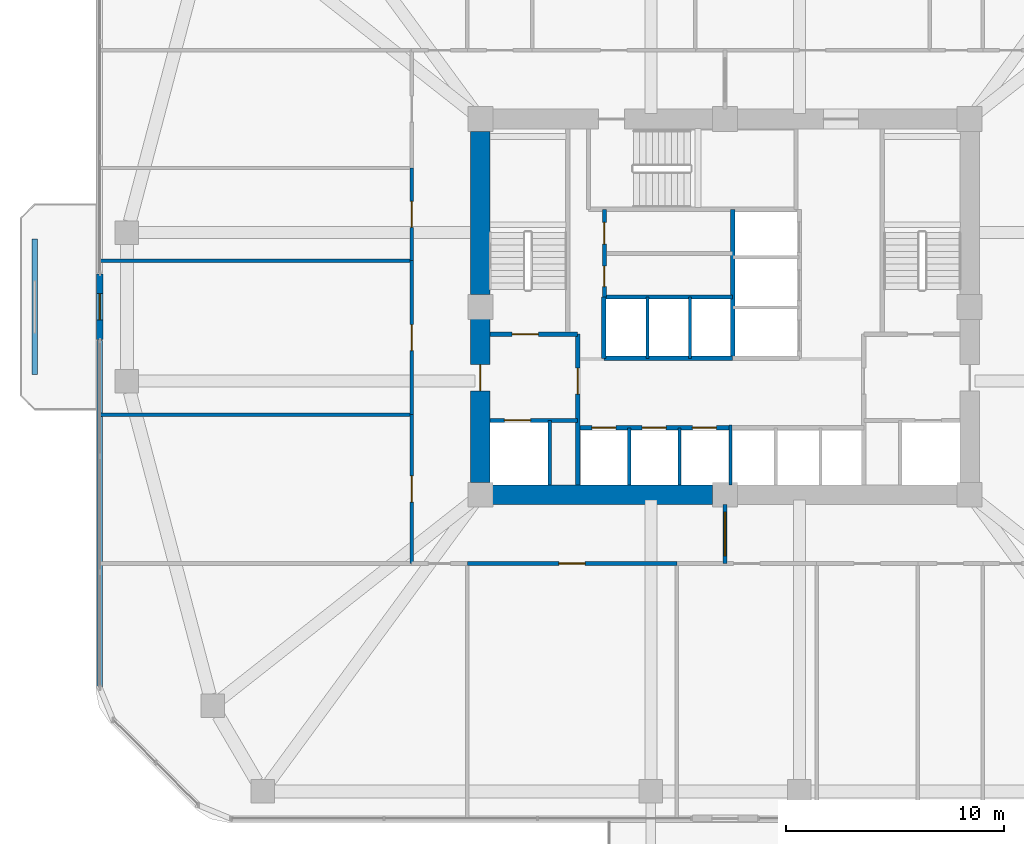
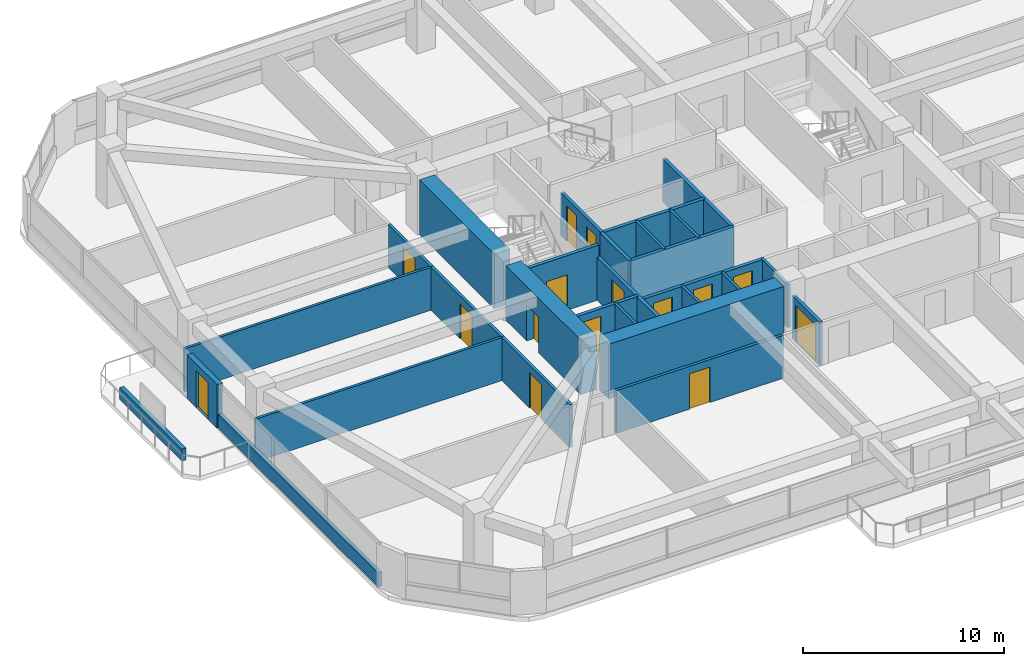
# One storey, part 9 of 14: 28 walls, 15 doors, 15 openings.
"""IFC4 building model written with IfcOpenShell, lengths in metres."""

import ifcopenshell
import ifcopenshell.guid

model = None  # the IFC model being written
_history = None  # IfcOwnerHistory: only IFC2X3 demands one
_inside = {}  # id of a spatial element -> (the spatial element, [elements in it])
_under = {}  # id of a project, library or spatial element -> (it, [spatial elements below it])
_declared = {}  # id of a project -> (the project, [libraries it declares])
_typed = {}  # id of a type object -> (the type object, [elements of that type])
_made_of = {}  # id of a material, layer set ... -> (it, [elements and type objects made of it])


def new_model(schema):
    """Start an empty IFC model of exactly this schema.

    Asked for "IFC4X3", IfcOpenShell would pick the latest addendum, in which some entities
    have other attributes; the version numbers below select the first issue.
    IFC2X3 requires an IfcOwnerHistory on every rooted entity: one is made here for all.
    """
    global model, _history
    if schema == "IFC4X3":
        model = ifcopenshell.file(schema_version=(4, 3, 0, 0))
    else:
        model = ifcopenshell.file(schema=schema)
    _inside.clear()
    _under.clear()
    _declared.clear()
    _typed.clear()
    _made_of.clear()
    _history = None
    if model.schema == "IFC2X3":
        org = make("IfcOrganization", Name="unknown")
        user = make(
            "IfcPersonAndOrganization",
            ThePerson=make("IfcPerson", FamilyName="unknown"),
            TheOrganization=org,
        )
        app = make(
            "IfcApplication",
            ApplicationDeveloper=org,
            Version="unknown",
            ApplicationFullName="unknown",
            ApplicationIdentifier="unknown",
        )
        _history = make(
            "IfcOwnerHistory",
            OwningUser=user,
            OwningApplication=app,
            ChangeAction="ADDED",
            CreationDate=0,
        )
    return model


def make(cls, **values):
    """One entity of the class cls with the attributes given. An attribute that is None is left unset."""
    return model.create_entity(
        cls, **{name: value for name, value in values.items() if value is not None}
    )


def rooted(cls, **values):
    """An entity with a GlobalId (a new one), such as an element, a storey or a relation."""
    return make(cls, GlobalId=ifcopenshell.guid.new(), OwnerHistory=_history, **values)


def si_unit(unit_type, name, prefix=None):
    """IfcSIUnit, for example si_unit("LENGTHUNIT", "METRE", prefix="MILLI")."""
    return make("IfcSIUnit", UnitType=unit_type, Prefix=prefix, Name=name)


def derived_unit(unit_type, elements):
    """IfcDerivedUnit: a product of units, each with its exponent."""
    return make(
        "IfcDerivedUnit",
        Elements=[
            make("IfcDerivedUnitElement", Unit=unit, Exponent=power)
            for unit, power in elements
        ],
        UnitType=unit_type,
    )


def assignment(units):
    """IfcUnitAssignment: the units of a project."""
    return None if units is None else make("IfcUnitAssignment", Units=units)


def point(xyz):
    """IfcCartesianPoint."""
    return None if xyz is None else make("IfcCartesianPoint", Coordinates=xyz)


def direction(xyz):
    """IfcDirection."""
    return None if xyz is None else make("IfcDirection", DirectionRatios=xyz)


def frame(location, z_axis=None, x_axis=None):
    """IfcAxis2Placement3D, a coordinate frame: its origin and axes. An axis left out is left unset."""
    return make(
        "IfcAxis2Placement3D",
        Location=point(location),
        Axis=direction(z_axis),
        RefDirection=direction(x_axis),
    )


def frame_2d(location, x_axis=None):
    """IfcAxis2Placement2D, a coordinate frame in the plane: its origin and x axis."""
    return make(
        "IfcAxis2Placement2D", Location=point(location), RefDirection=direction(x_axis)
    )


def origin():
    """The frame at (0, 0, 0) with its axes left unset."""
    return frame((0.0, 0.0, 0.0))


def place(relative_to, where):
    """IfcLocalPlacement: puts the frame where relative to a parent placement (None: the world)."""
    return make(
        "IfcLocalPlacement", PlacementRelTo=relative_to, RelativePlacement=where
    )


def context(
    kind, dimensions, precision=None, world=None, true_north=None, identifier=None
):
    """IfcGeometricRepresentationContext, for example the 3D "Model" context."""
    return make(
        "IfcGeometricRepresentationContext",
        ContextIdentifier=identifier,
        ContextType=kind,
        CoordinateSpaceDimension=dimensions,
        Precision=precision,
        WorldCoordinateSystem=world,
        TrueNorth=true_north,
    )


def subcontext(parent, identifier, kind, view, scale=None):
    """IfcGeometricRepresentationSubContext, for example "Body" below "Model"."""
    return make(
        "IfcGeometricRepresentationSubContext",
        ContextIdentifier=identifier,
        ContextType=kind,
        ParentContext=parent,
        TargetScale=scale,
        TargetView=view,
    )


def project(units=None, contexts=None):
    """IfcProject with its units and contexts."""
    return rooted(
        "IfcProject",
        Name="project",
        RepresentationContexts=contexts,
        UnitsInContext=assignment(units),
    )


def spatial(cls, under=None, at=None, **own):
    """A site, building, storey or space (cls), placed at a placement, below another one or the project."""
    s = rooted(cls, ObjectPlacement=at, **own)
    if under is not None:
        _under.setdefault(under.id(), (under, []))[1].append(s)
    return s


def profile(cls, at=None, kind="AREA", **sizes):
    """A parametric profile (cls). Its sizes go by their IFC names, for example OverallWidth=200.0."""
    return make(cls, ProfileType=kind, Position=at, **sizes)


def rectangle(**sizes):
    """IfcRectangleProfileDef."""
    return profile("IfcRectangleProfileDef", **sizes)


def extrude(swept, where, along, depth):
    """IfcExtrudedAreaSolid: the profile swept, set in the frame where, extruded along a direction by depth."""
    return make(
        "IfcExtrudedAreaSolid",
        SweptArea=swept,
        Position=where,
        ExtrudedDirection=direction(along),
        Depth=depth,
    )


def shape(context_of_items, identifier, shape_type, items):
    """IfcShapeRepresentation: the items that make up one representation, for example the "Body"."""
    return make(
        "IfcShapeRepresentation",
        ContextOfItems=context_of_items,
        RepresentationIdentifier=identifier,
        RepresentationType=shape_type,
        Items=items,
    )


def material(Name=None, Category=None):
    """IfcMaterial."""
    return make("IfcMaterial", Name=Name, Category=Category)


def layer(
    of_material, thickness, ventilated=None, Name=None, Category=None, Priority=None
):
    """IfcMaterialLayer: one layer of a wall or slab, of a material (None: an air gap)."""
    return make(
        "IfcMaterialLayer",
        Material=of_material,
        LayerThickness=thickness,
        IsVentilated=ventilated,
        Name=Name,
        Category=Category,
        Priority=Priority,
    )


def layer_set(layers, Name=None):
    """IfcMaterialLayerSet."""
    return make("IfcMaterialLayerSet", MaterialLayers=layers, LayerSetName=Name)


def made_of(thing, what):
    """Note that an element or type object is made of a material, layer set ...; save() writes the relation."""
    if what is not None:
        _made_of.setdefault(what.id(), (what, []))[1].append(thing)
    return thing


def type_object(cls, material=None, **own):
    """A type object (cls), such as IfcWallType, which elements share."""
    return made_of(rooted(cls, **own), material)


def element(
    cls,
    number,
    at=None,
    inside=None,
    cuts=None,
    type_object=None,
    material=None,
    context=None,
    identifier="Body",
    shape_type=None,
    held_by="IfcProductDefinitionShape",
    body=None,
    shapes=None,
    **own,
):
    """One element of the class cls, such as IfcWall. Its Tag is "e" and its number.

    at: its placement. inside: the storey or other place that contains it. cuts: it is an
    opening in that element (IfcRelVoidsElement). A single representation is given by context,
    identifier, shape_type and body (its items); several are given by shapes. held_by: the class
    of the entity that holds the representations. save() writes the other relations.
    """
    e = rooted(cls, Tag="e%d" % number, ObjectPlacement=at, **own)
    if body is not None:
        shapes = [shape(context, identifier, shape_type, body)]
    if shapes is not None:
        e.Representation = make(held_by, Representations=shapes)
    if inside is not None:
        _inside.setdefault(inside.id(), (inside, []))[1].append(e)
    if cuts is not None:
        rooted(
            "IfcRelVoidsElement", RelatingBuildingElement=cuts, RelatedOpeningElement=e
        )
    if type_object is not None:
        _typed.setdefault(type_object.id(), (type_object, []))[1].append(e)
    return made_of(e, material)


def fill(opening, filler):
    """IfcRelFillsElement: the door or window that sits in an opening."""
    return rooted(
        "IfcRelFillsElement",
        RelatingOpeningElement=opening,
        RelatedBuildingElement=filler,
    )


def aggregate(whole, parts):
    """IfcRelAggregates: a whole, such as a stair, and the parts it consists of."""
    return rooted("IfcRelAggregates", RelatingObject=whole, RelatedObjects=parts)


def save(model, path):
    """Write the relations noted so far, then the file.

    IfcRelAggregates (storeys below a building ...), IfcRelContainedInSpatialStructure (elements
    in a storey), IfcRelDefinesByType, IfcRelAssociatesMaterial and IfcRelDeclares: one each for
    every whole, place, type object, material and project.
    """
    for whole, parts in _under.values():
        aggregate(whole, parts)
    for where, things in _inside.values():
        rooted(
            "IfcRelContainedInSpatialStructure",
            RelatedElements=things,
            RelatingStructure=where,
        )
    for kind, things in _typed.values():
        rooted("IfcRelDefinesByType", RelatedObjects=things, RelatingType=kind)
    for what, things in _made_of.values():
        rooted("IfcRelAssociatesMaterial", RelatedObjects=things, RelatingMaterial=what)
    for by, libraries in _declared.values():
        rooted("IfcRelDeclares", RelatingContext=by, RelatedDefinitions=libraries)
    model.write(path)


model = new_model("IFC4")

# Units and contexts
model_context = context("Model", 3, precision=1e-05, world=origin(), true_north=direction((0.0, 1.0)))
body_context = subcontext(model_context, "Body", "Model", "MODEL_VIEW")
ifc_project = project(units=[si_unit("LENGTHUNIT", "METRE"), si_unit("AREAUNIT", "SQUARE_METRE"), si_unit("VOLUMEUNIT", "CUBIC_METRE"), si_unit("PLANEANGLEUNIT", "RADIAN"), si_unit("MASSUNIT", "GRAM", prefix="KILO"), derived_unit("THERMALTRANSMITTANCEUNIT", [(si_unit("POWERUNIT", "WATT"), 1), (si_unit("LENGTHUNIT", "METRE"), -2), (si_unit("THERMODYNAMICTEMPERATUREUNIT", "KELVIN"), -1)])], contexts=[model_context])

# Site, building, storey
site_placement = place(None, origin())
site = spatial("IfcSite", under=ifc_project, at=site_placement, CompositionType="ELEMENT")
building_placement = place(site_placement, origin())
building = spatial("IfcBuilding", under=site, at=building_placement, Name="Koralith Skygarden Medical Center", CompositionType="ELEMENT")
storey_placement = place(building_placement, frame((0.0, 0.0, 34.739990234375)))
storey = spatial("IfcBuildingStorey", under=building, at=storey_placement, Name="L08", CompositionType="ELEMENT", Elevation=34.739990234375)

# Walls
ifc_material_1 = material(Name="Gypsum Board Partition")
ifc_layer_1 = layer(ifc_material_1, 0.14990234375)
ifc_layer_set_1 = layer_set([ifc_layer_1], Name="Gypsum Board Partition")
wall_type_1 = type_object("IfcWallType", Name="Clinical Acoustic Partition 150", PredefinedType="PARTITIONING", material=ifc_layer_set_1)
for number, where, z_axis, x_axis, name in (
    (1, (22.64990234375, 20.965087890625, 0.0), (0.0, 0.0, 1.0), (-1.0, 0.0, 0.0), "L08 Clinical Acoustic Partition 150 W-PART-L08-W-01"),
    (2, (22.64990234375, 28.014892578125, 0.0), (0.0, 0.0, 1.0), (-1.0, 0.0, 0.0), "L08 Clinical Acoustic Partition 150 W-PART-L08-W-02"),
):
    element("IfcWall", number, at=place(storey_placement, frame(where, z_axis=z_axis, x_axis=x_axis)), inside=storey, type_object=wall_type_1, Name=name, PredefinedType="PARTITIONING", context=body_context, shape_type="SweptSolid", body=[
        extrude(rectangle(XDim=14.25, YDim=0.14990234375, at=frame_2d((7.125, 0.0))), origin(), (0.0, 0.0, 1.0), 2.610107421875),
    ])

# Wall, opening, door
ifc_layer_2 = layer(ifc_material_1, 0.1650390625)
ifc_layer_set_2 = layer_set([ifc_layer_2], Name="Gypsum Board Partition")
wall_type_2 = type_object("IfcWallType", Name="Clinical Corridor Partition 165", PredefinedType="PARTITIONING", material=ifc_layer_set_2)
wall_1_placement = place(storey_placement, frame((25.199951171875, 14.14990234375, 0.0), z_axis=(0.0, 0.0, 1.0), x_axis=(1.0, 0.0, 0.0)))
wall_1 = element("IfcWall", 3, at=wall_1_placement, inside=storey, type_object=wall_type_2, Name="L08 Clinical Corridor Partition 165 W-CORR-L08-S-02", PredefinedType="PARTITIONING", context=body_context, shape_type="SweptSolid", body=[
    extrude(rectangle(XDim=9.593994140625, YDim=0.1650390625, at=frame_2d((4.796875, 0.0))), origin(), (0.0, 0.0, 1.0), 2.610107421875),
])
opening_1_placement = place(wall_1_placement, frame((4.197021484375, 0.0, 0.0)))
opening_1 = element("IfcOpeningElement", 4, at=opening_1_placement, cuts=wall_1, Name="Opening D-CLN", PredefinedType="OPENING", context=body_context, shape_type="SweptSolid", body=[
    extrude(rectangle(XDim=1.199951171875, YDim=2.14990234375, at=frame_2d((0.60009765625, 1.074951171875))), frame((0.0, 0.092529296875, 0.0), z_axis=(0.0, -1.0, 0.0), x_axis=(1.0, 0.0, 0.0)), (0.0, 0.0, 1.0), 0.18505859375),
])
ifc_material_2 = material(Name="Aluminium 6063-T6", Category="aluminium")
door_type_1 = type_object("IfcDoorType", Name="Clinical Corridor Door D-CLN 1200", OperationType="NOTDEFINED", PredefinedType="DOOR", material=ifc_material_2)
door_1_placement = place(opening_1_placement, frame((1.199951171875, 0.0, 0.0), z_axis=(0.0, 0.0, 1.0), x_axis=(-1.0, 0.0, 0.0)))
door_1 = element("IfcDoor", 5, at=door_1_placement, inside=storey, type_object=door_type_1, Name="L08 Clinical Consultation Office 08 Door", OperationType="SINGLE_SWING_LEFT", OverallHeight=2.14990234375, OverallWidth=1.199951171875, PredefinedType="DOOR", context=body_context, shape_type="SweptSolid", body=[
    extrude(rectangle(XDim=1.199951171875, YDim=2.14990234375, at=frame_2d((0.60009765625, 1.074951171875))), frame((0.0, 0.02490234375, 0.0), z_axis=(0.0, -1.0, 0.0), x_axis=(1.0, 0.0, 0.0)), (0.0, 0.0, 1.0), 0.050048828125),
])
fill(opening_1, door_1)

wall_2_placement = place(storey_placement, frame((22.64990234375, 14.14990234375, 0.0), z_axis=(0.0, 0.0, 1.0), x_axis=(0.0, 1.0, 0.0)))
wall_2 = element("IfcWall", 6, at=wall_2_placement, inside=storey, type_object=wall_type_2, Name="L08 Clinical Corridor Partition 165 W-CORR-L08-W-01", PredefinedType="PARTITIONING", context=body_context, shape_type="SweptSolid", body=[
    extrude(rectangle(XDim=6.815185546875, YDim=0.1650390625, at=frame_2d((3.40771484375, 0.0))), origin(), (0.0, 0.0, 1.0), 2.610107421875),
])
opening_2_placement = place(wall_2_placement, frame((2.806884765625, 0.0, 0.0)))
opening_2 = element("IfcOpeningElement", 7, at=opening_2_placement, cuts=wall_2, Name="Opening D-CLN", PredefinedType="OPENING", context=body_context, shape_type="SweptSolid", body=[
    extrude(rectangle(XDim=1.199951171875, YDim=2.14990234375, at=frame_2d((0.60009765625, 1.074951171875))), frame((0.0, 0.092529296875, 0.0), z_axis=(0.0, -1.0, 0.0), x_axis=(1.0, 0.0, 0.0)), (0.0, 0.0, 1.0), 0.18505859375),
])
door_2_placement = place(opening_2_placement, frame((1.199951171875, 0.0, 0.0), z_axis=(0.0, 0.0, 1.0), x_axis=(-1.0, 0.0, 0.0)))
door_2 = element("IfcDoor", 8, at=door_2_placement, inside=storey, type_object=door_type_1, Name="L08 Clinical Consultation Office 13 Door", OperationType="SINGLE_SWING_RIGHT", OverallHeight=2.14990234375, OverallWidth=1.199951171875, PredefinedType="DOOR", context=body_context, shape_type="SweptSolid", body=[
    extrude(rectangle(XDim=1.199951171875, YDim=2.14990234375, at=frame_2d((0.60009765625, 1.074951171875))), frame((0.0, 0.02490234375, 0.0), z_axis=(0.0, -1.0, 0.0), x_axis=(1.0, 0.0, 0.0)), (0.0, 0.0, 1.0), 0.050048828125),
])
fill(opening_2, door_2)

wall_3_placement = place(storey_placement, frame((22.64990234375, 20.965087890625, 0.0), z_axis=(0.0, 0.0, 1.0), x_axis=(0.0, 1.0, 0.0)))
wall_3 = element("IfcWall", 9, at=wall_3_placement, inside=storey, type_object=wall_type_2, Name="L08 Clinical Corridor Partition 165 W-CORR-L08-W-02", PredefinedType="PARTITIONING", context=body_context, shape_type="SweptSolid", body=[
    extrude(rectangle(XDim=7.0498046875, YDim=0.1650390625, at=frame_2d((3.52490234375, 0.0))), origin(), (0.0, 0.0, 1.0), 2.610107421875),
])
opening_3_placement = place(wall_3_placement, frame((2.925048828125, 0.0, 0.0)))
opening_3 = element("IfcOpeningElement", 10, at=opening_3_placement, cuts=wall_3, Name="Opening D-CLN", PredefinedType="OPENING", context=body_context, shape_type="SweptSolid", body=[
    extrude(rectangle(XDim=1.199951171875, YDim=2.14990234375, at=frame_2d((0.60009765625, 1.074951171875))), frame((0.0, 0.092529296875, 0.0), z_axis=(0.0, -1.0, 0.0), x_axis=(1.0, 0.0, 0.0)), (0.0, 0.0, 1.0), 0.18505859375),
])
door_3_placement = place(opening_3_placement, frame((1.199951171875, 0.0, 0.0), z_axis=(0.0, 0.0, 1.0), x_axis=(-1.0, 0.0, 0.0)))
door_3 = element("IfcDoor", 11, at=door_3_placement, inside=storey, type_object=door_type_1, Name="L08 Patient and Family Sky-Garden Day Lounge 14 Door", OperationType="SINGLE_SWING_LEFT", OverallHeight=2.14990234375, OverallWidth=1.199951171875, PredefinedType="DOOR", context=body_context, shape_type="SweptSolid", body=[
    extrude(rectangle(XDim=1.199951171875, YDim=2.14990234375, at=frame_2d((0.60009765625, 1.074951171875))), frame((0.0, 0.02490234375, 0.0), z_axis=(0.0, -1.0, 0.0), x_axis=(1.0, 0.0, 0.0)), (0.0, 0.0, 1.0), 0.050048828125),
])
fill(opening_3, door_3)

wall_4_placement = place(storey_placement, frame((22.64990234375, 28.014892578125, 0.0), z_axis=(0.0, 0.0, 1.0), x_axis=(0.0, 1.0, 0.0)))
wall_4 = element("IfcWall", 12, at=wall_4_placement, inside=storey, type_object=wall_type_2, Name="L08 Clinical Corridor Partition 165 W-CORR-L08-W-03", PredefinedType="PARTITIONING", context=body_context, shape_type="SweptSolid", body=[
    extrude(rectangle(XDim=4.239013671875, YDim=0.1650390625, at=frame_2d((2.11962890625, 0.0))), origin(), (0.0, 0.0, 1.0), 2.610107421875),
])
opening_4_placement = place(wall_4_placement, frame((1.51904296875, 0.0, 0.0)))
opening_4 = element("IfcOpeningElement", 13, at=opening_4_placement, cuts=wall_4, Name="Opening D-CLN", PredefinedType="OPENING", context=body_context, shape_type="SweptSolid", body=[
    extrude(rectangle(XDim=1.199951171875, YDim=2.14990234375, at=frame_2d((0.60009765625, 1.074951171875))), frame((0.0, 0.092529296875, 0.0), z_axis=(0.0, -1.0, 0.0), x_axis=(1.0, 0.0, 0.0)), (0.0, 0.0, 1.0), 0.18505859375),
])
door_4_placement = place(opening_4_placement, frame((1.199951171875, 0.0, 0.0), z_axis=(0.0, 0.0, 1.0), x_axis=(-1.0, 0.0, 0.0)))
door_4 = element("IfcDoor", 14, at=door_4_placement, inside=storey, type_object=door_type_1, Name="L08 Ward Mobility Therapy Exercise Hall 15 Door", OperationType="SINGLE_SWING_RIGHT", OverallHeight=2.14990234375, OverallWidth=1.199951171875, PredefinedType="DOOR", context=body_context, shape_type="SweptSolid", body=[
    extrude(rectangle(XDim=1.199951171875, YDim=2.14990234375, at=frame_2d((0.60009765625, 1.074951171875))), frame((0.0, 0.02490234375, 0.0), z_axis=(0.0, -1.0, 0.0), x_axis=(1.0, 0.0, 0.0)), (0.0, 0.0, 1.0), 0.050048828125),
])
fill(opening_4, door_4)

ifc_layer_3 = layer(ifc_material_1, 0.199951171875)
ifc_layer_set_3 = layer_set([ifc_layer_3], Name="Gypsum Board Partition")
wall_type_3 = type_object("IfcWallType", Name="Fire Shaft Wall 200", PredefinedType="SOLIDWALL", material=ifc_layer_set_3)
wall_5_placement = place(storey_placement, frame((26.25, 20.699951171875, 0.0), z_axis=(0.0, 0.0, 1.0), x_axis=(1.0, 0.0, 0.0)))
wall_5 = element("IfcWall", 15, at=wall_5_placement, inside=storey, type_object=wall_type_3, Name="L08 Fire Shaft Wall 200 W-CORE-L08-FF1-N", PredefinedType="SOLIDWALL", context=body_context, shape_type="SweptSolid", body=[
    extrude(rectangle(XDim=4.0, YDim=0.199951171875, at=frame_2d((2.0, 0.0))), origin(), (0.0, 0.0, 1.0), 2.610107421875),
])
opening_5_placement = place(wall_5_placement, frame((0.64990234375, 0.0, 0.0)))
opening_5 = element("IfcOpeningElement", 16, at=opening_5_placement, cuts=wall_5, Name="Opening LD-FF", PredefinedType="OPENING", context=body_context, shape_type="SweptSolid", body=[
    extrude(rectangle(XDim=1.199951171875, YDim=2.14990234375, at=frame_2d((0.60009765625, 1.074951171875))), frame((0.0, 0.10986328125, 0.0), z_axis=(0.0, -1.0, 0.0), x_axis=(1.0, 0.0, 0.0)), (0.0, 0.0, 1.0), 0.219970703125),
])
ifc_material_3 = material(Name="Steel ASTM A500 Grade C", Category="steel")
door_type_2 = type_object("IfcDoorType", Name="Fire Lift Sliding Landing Door LD-FF 1200", OperationType="NOTDEFINED", PredefinedType="DOOR", material=ifc_material_3)
door_5_placement = place(opening_5_placement, origin())
door_5 = element("IfcDoor", 17, at=door_5_placement, inside=storey, type_object=door_type_2, Name="L08 Fire Service Elevator FF1 Landing Door", OperationType="SLIDING_TO_LEFT", OverallHeight=2.14990234375, OverallWidth=1.199951171875, PredefinedType="DOOR", context=body_context, shape_type="SweptSolid", body=[
    extrude(rectangle(XDim=1.199951171875, YDim=2.14990234375, at=frame_2d((0.60009765625, 1.074951171875))), frame((0.0, 0.02490234375, 0.0), z_axis=(0.0, -1.0, 0.0), x_axis=(1.0, 0.0, 0.0)), (0.0, 0.0, 1.0), 0.050048828125),
])
fill(opening_5, door_5)

wall_6_placement = place(storey_placement, frame((30.25, 17.75, 0.0), z_axis=(0.0, 0.0, 1.0), x_axis=(0.0, 1.0, 0.0)))
wall_6 = element("IfcWall", 18, at=wall_6_placement, inside=storey, type_object=wall_type_3, Name="L08 Fire Shaft Wall 200 W-CORE-L08-FSAEW-E", PredefinedType="SOLIDWALL", context=body_context, shape_type="SweptSolid", body=[
    extrude(rectangle(XDim=6.89990234375, YDim=0.199951171875, at=frame_2d((3.449951171875, 0.0))), origin(), (0.0, 0.0, 1.0), 2.610107421875),
])
opening_6_placement = place(wall_6_placement, frame((4.14990234375, 0.0, 0.0)))
opening_6 = element("IfcOpeningElement", 19, at=opening_6_placement, cuts=wall_6, Name="Opening D-ST60", PredefinedType="OPENING", context=body_context, shape_type="SweptSolid", body=[
    extrude(rectangle(XDim=1.199951171875, YDim=2.14990234375, at=frame_2d((0.60009765625, 1.074951171875))), frame((0.0, 0.10986328125, 0.0), z_axis=(0.0, -1.0, 0.0), x_axis=(1.0, 0.0, 0.0)), (0.0, 0.0, 1.0), 0.219970703125),
])
door_type_3 = type_object("IfcDoorType", Name="Smokeproof Stair Fire Door FD60S 1200", OperationType="NOTDEFINED", PredefinedType="DOOR", material=ifc_material_3)
door_6_placement = place(opening_6_placement, origin())
door_6 = element("IfcDoor", 20, at=door_6_placement, inside=storey, type_object=door_type_3, Name="L08 West Firefighting Lobby Inner Fire Door", OperationType="SINGLE_SWING_LEFT", OverallHeight=2.14990234375, OverallWidth=1.199951171875, PredefinedType="DOOR", context=body_context, shape_type="SweptSolid", body=[
    extrude(rectangle(XDim=1.199951171875, YDim=2.14990234375, at=frame_2d((0.60009765625, 1.074951171875))), frame((0.0, 0.02490234375, 0.0), z_axis=(0.0, -1.0, 0.0), x_axis=(1.0, 0.0, 0.0)), (0.0, 0.0, 1.0), 0.050048828125),
])
fill(opening_6, door_6)

# Wall, openings, doors
wall_7_placement = place(storey_placement, frame((30.25, 20.360107421875, 0.0), z_axis=(0.0, 0.0, 1.0), x_axis=(1.0, 0.0, 0.0)))
wall_7 = element("IfcWall", 21, at=wall_7_placement, inside=storey, type_object=wall_type_3, Name="L08 Fire Shaft Wall 200 W-CORE-L08-PL-N", PredefinedType="SOLIDWALL", context=body_context, shape_type="SweptSolid", body=[
    extrude(rectangle(XDim=7.0, YDim=0.199951171875, at=frame_2d((3.5, 0.0))), origin(), (0.0, 0.0, 1.0), 2.610107421875),
])
opening_7_placement = place(wall_7_placement, frame((0.64990234375, 0.0, 0.0)))
opening_7 = element("IfcOpeningElement", 22, at=opening_7_placement, cuts=wall_7, Name="Opening LD-P", PredefinedType="OPENING", context=body_context, shape_type="SweptSolid", body=[
    extrude(rectangle(XDim=1.10009765625, YDim=2.14990234375, at=frame_2d((0.550048828125, 1.074951171875))), frame((0.0, 0.10986328125, 0.0), z_axis=(0.0, -1.0, 0.0), x_axis=(1.0, 0.0, 0.0)), (0.0, 0.0, 1.0), 0.219970703125),
])
opening_8_placement = place(wall_7_placement, frame((2.949951171875, 0.0, 0.0)))
opening_8 = element("IfcOpeningElement", 23, at=opening_8_placement, cuts=wall_7, Name="Opening LD-P", PredefinedType="OPENING", context=body_context, shape_type="SweptSolid", body=[
    extrude(rectangle(XDim=1.10009765625, YDim=2.14990234375, at=frame_2d((0.550048828125, 1.074951171875))), frame((0.0, 0.10986328125, 0.0), z_axis=(0.0, -1.0, 0.0), x_axis=(1.0, 0.0, 0.0)), (0.0, 0.0, 1.0), 0.219970703125),
])
opening_9_placement = place(wall_7_placement, frame((5.25, 0.0, 0.0)))
opening_9 = element("IfcOpeningElement", 24, at=opening_9_placement, cuts=wall_7, Name="Opening LD-P", PredefinedType="OPENING", context=body_context, shape_type="SweptSolid", body=[
    extrude(rectangle(XDim=1.10009765625, YDim=2.14990234375, at=frame_2d((0.550048828125, 1.074951171875))), frame((0.0, 0.10986328125, 0.0), z_axis=(0.0, -1.0, 0.0), x_axis=(1.0, 0.0, 0.0)), (0.0, 0.0, 1.0), 0.219970703125),
])
door_type_4 = type_object("IfcDoorType", Name="Passenger Lift Sliding Landing Door LD-P 1100", OperationType="NOTDEFINED", PredefinedType="DOOR", material=ifc_material_3)
door_7_placement = place(opening_7_placement, origin())
door_7 = element("IfcDoor", 25, at=door_7_placement, inside=storey, type_object=door_type_4, Name="L08 Passenger Elevator PL1 Landing Door", OperationType="SLIDING_TO_LEFT", OverallHeight=2.14990234375, OverallWidth=1.10009765625, PredefinedType="DOOR", context=body_context, shape_type="SweptSolid", body=[
    extrude(rectangle(XDim=1.10009765625, YDim=2.14990234375, at=frame_2d((0.550048828125, 1.074951171875))), frame((0.0, 0.02490234375, 0.0), z_axis=(0.0, -1.0, 0.0), x_axis=(1.0, 0.0, 0.0)), (0.0, 0.0, 1.0), 0.050048828125),
])
fill(opening_7, door_7)
door_8_placement = place(opening_8_placement, origin())
door_8 = element("IfcDoor", 26, at=door_8_placement, inside=storey, type_object=door_type_4, Name="L08 Passenger Elevator PL2 Landing Door", OperationType="SLIDING_TO_LEFT", OverallHeight=2.14990234375, OverallWidth=1.10009765625, PredefinedType="DOOR", context=body_context, shape_type="SweptSolid", body=[
    extrude(rectangle(XDim=1.10009765625, YDim=2.14990234375, at=frame_2d((0.550048828125, 1.074951171875))), frame((0.0, 0.02490234375, 0.0), z_axis=(0.0, -1.0, 0.0), x_axis=(1.0, 0.0, 0.0)), (0.0, 0.0, 1.0), 0.050048828125),
])
fill(opening_8, door_8)
door_9_placement = place(opening_9_placement, origin())
door_9 = element("IfcDoor", 27, at=door_9_placement, inside=storey, type_object=door_type_4, Name="L08 Passenger Elevator PL3 Landing Door", OperationType="SLIDING_TO_LEFT", OverallHeight=2.14990234375, OverallWidth=1.10009765625, PredefinedType="DOOR", context=body_context, shape_type="SweptSolid", body=[
    extrude(rectangle(XDim=1.10009765625, YDim=2.14990234375, at=frame_2d((0.550048828125, 1.074951171875))), frame((0.0, 0.02490234375, 0.0), z_axis=(0.0, -1.0, 0.0), x_axis=(1.0, 0.0, 0.0)), (0.0, 0.0, 1.0), 0.050048828125),
])
fill(opening_9, door_9)

# Walls
for number, where, z_axis, x_axis, name in (
    (28, (31.449951171875, 23.5400390625, 0.0), (0.0, 0.0, 1.0), (1.0, 0.0, 0.0), "L08 Fire Shaft Wall 200 W-CORE-L08-PH-S"),
    (29, (31.449951171875, 26.35009765625, 0.0), (0.0, 0.0, 1.0), (1.0, 0.0, 0.0), "L08 Fire Shaft Wall 200 W-CORE-L08-PH-N"),
):
    element("IfcWall", number, at=place(storey_placement, frame(where, z_axis=z_axis, x_axis=x_axis)), inside=storey, type_object=wall_type_3, Name=name, PredefinedType="SOLIDWALL", context=body_context, shape_type="SweptSolid", body=[
        extrude(rectangle(XDim=5.900146484375, YDim=0.199951171875, at=frame_2d((2.9501953125, 0.0))), origin(), (0.0, 0.0, 1.0), 2.610107421875),
    ])
wall_8_placement = place(storey_placement, frame((31.449951171875, 23.5400390625, 0.0), z_axis=(0.0, 0.0, 1.0), x_axis=(0.0, 1.0, 0.0)))
element("IfcWall", 30, at=wall_8_placement, inside=storey, type_object=wall_type_3, Name="L08 Fire Shaft Wall 200 W-CORE-L08-PH-W", PredefinedType="SOLIDWALL", context=body_context, shape_type="SweptSolid", body=[
    extrude(rectangle(XDim=2.81005859375, YDim=0.199951171875, at=frame_2d((1.405029296875, 0.0))), origin(), (0.0, 0.0, 1.0), 2.610107421875),
])
wall_9_placement = place(storey_placement, frame((37.35009765625, 23.5400390625, 0.0), z_axis=(0.0, 0.0, 1.0), x_axis=(0.0, 1.0, 0.0)))
element("IfcWall", 31, at=wall_9_placement, inside=storey, type_object=wall_type_3, Name="L08 Fire Shaft Wall 200 W-CORE-L08-SV-W", PredefinedType="SOLIDWALL", context=body_context, shape_type="SweptSolid", body=[
    extrude(rectangle(XDim=6.820068359375, YDim=0.199951171875, at=frame_2d((3.41015625, 0.0))), origin(), (0.0, 0.0, 1.0), 2.610107421875),
])

# Wall, opening, door
ifc_layer_4 = layer(ifc_material_1, 0.179931640625)
ifc_layer_set_4 = layer_set([ifc_layer_4], Name="Gypsum Board Partition")
wall_type_4 = type_object("IfcWallType", Name="Group I-2 Smoke Barrier Wall 180", PredefinedType="PARTITIONING", material=ifc_layer_set_4)
wall_10_placement = place(storey_placement, frame((37.0, 14.14990234375, 0.0), z_axis=(0.0, 0.0, 1.0), x_axis=(0.0, 1.0, 0.0)))
wall_10 = element("IfcWall", 32, at=wall_10_placement, inside=storey, type_object=wall_type_4, Name="L08 Group I-2 Smoke Barrier Wall 180 W-SMK-L08-S", PredefinedType="PARTITIONING", context=body_context, shape_type="SweptSolid", body=[
    extrude(rectangle(XDim=2.7001953125, YDim=0.179931640625, at=frame_2d((1.35009765625, 0.0))), origin(), (0.0, 0.0, 1.0), 2.610107421875),
])
opening_10_placement = place(wall_10_placement, frame((0.35009765625, 0.0, 0.0)))
opening_10 = element("IfcOpeningElement", 33, at=opening_10_placement, cuts=wall_10, Name="Opening D-SMK", PredefinedType="OPENING", context=body_context, shape_type="SweptSolid", body=[
    extrude(rectangle(XDim=2.0, YDim=2.199951171875, at=frame_2d((1.0, 1.10009765625))), frame((0.0, 0.099853515625, 0.0), z_axis=(0.0, -1.0, 0.0), x_axis=(1.0, 0.0, 0.0)), (0.0, 0.0, 1.0), 0.199951171875),
])
door_type_5 = type_object("IfcDoorType", Name="Cross-Corridor Double Smoke Door FD60S 2000", OperationType="NOTDEFINED", PredefinedType="DOOR", material=ifc_material_3)
door_10_placement = place(opening_10_placement, frame((2.0, 0.0, 0.0), z_axis=(0.0, 0.0, 1.0), x_axis=(-1.0, 0.0, 0.0)))
door_10 = element("IfcDoor", 34, at=door_10_placement, inside=storey, type_object=door_type_5, Name="L08 S Smoke Compartment Cross-Corridor Door", OperationType="DOUBLE_DOOR_SINGLE_SWING", OverallHeight=2.199951171875, OverallWidth=2.0, PredefinedType="DOOR", context=body_context, shape_type="SweptSolid", body=[
    extrude(rectangle(XDim=2.0, YDim=2.199951171875, at=frame_2d((1.0, 1.10009765625))), frame((0.0, 0.02490234375, 0.0), z_axis=(0.0, -1.0, 0.0), x_axis=(1.0, 0.0, 0.0)), (0.0, 0.0, 1.0), 0.050048828125),
])
fill(opening_10, door_10)

# Walls
ifc_material_4 = material(Name="Warm Oolitic Limestone Cladding", Category="masonry")
ifc_layer_5 = layer(ifc_material_4, 0.239990234375)
ifc_layer_set_5 = layer_set([ifc_layer_5], Name="Warm Oolitic Limestone Cladding")
wall_type_5 = type_object("IfcWallType", Name="Limestone Spandrel Sill Backup Wall 240", PredefinedType="SOLIDWALL", material=ifc_layer_set_5)
wall_11_placement = place(storey_placement, frame((8.3798828125, 24.360107421875, 0.0), z_axis=(0.0, 0.0, 1.0), x_axis=(0.0, -1.0, 0.0)))
element("IfcWall", 35, at=wall_11_placement, inside=storey, type_object=wall_type_5, Name="L08 Sill Spandrel W-R", PredefinedType="SOLIDWALL", context=body_context, shape_type="SweptSolid", body=[
    extrude(rectangle(XDim=15.905029296875, YDim=0.239990234375, at=frame_2d((7.95263671875, 0.0))), origin(), (0.0, 0.0, 1.0), 0.85009765625),
])
ifc_material_5 = material(Name="Concrete C70/85", Category="concrete")
ifc_layer_6 = layer(ifc_material_5, 0.89990234375)
ifc_layer_set_6 = layer_set([ifc_layer_6], Name="Concrete C70/85")
wall_type_6 = type_object("IfcWallType", Name="Lower Core Shear Wall 900", PredefinedType="SHEAR", material=ifc_layer_set_6)
wall_12_placement = place(storey_placement, frame((26.364990234375, 17.300048828125, 0.0), z_axis=(0.0, 0.0, 1.0), x_axis=(1.0, 0.0, 0.0)))
element("IfcWall", 36, at=wall_12_placement, inside=storey, type_object=wall_type_6, Name="L08 Core Shear Wall Segment 1", PredefinedType="SHEAR", context=body_context, shape_type="SweptSolid", body=[
    extrude(rectangle(XDim=10.070068359375, YDim=0.89990234375, at=frame_2d((5.03515625, 0.0))), origin(), (0.0, 0.0, 1.0), 3.320068359375),
])
wall_13_placement = place(storey_placement, frame((25.800048828125, 33.93505859375, 0.0), z_axis=(0.0, 0.0, 1.0), x_axis=(0.0, -1.0, 0.0)))
element("IfcWall", 37, at=wall_13_placement, inside=storey, type_object=wall_type_6, Name="L08 Core Shear Wall Segment 7", PredefinedType="SHEAR", context=body_context, shape_type="SweptSolid", body=[
    extrude(rectangle(XDim=7.469970703125, YDim=0.89990234375, at=frame_2d((3.73486328125, 0.0))), origin(), (0.0, 0.0, 1.0), 3.320068359375),
])

# Wall, opening, door
wall_14_placement = place(storey_placement, frame((25.800048828125, 25.3349609375, 0.0), z_axis=(0.0, 0.0, 1.0), x_axis=(0.0, -1.0, 0.0)))
wall_14 = element("IfcWall", 38, at=wall_14_placement, inside=storey, type_object=wall_type_6, Name="L08 Core Shear Wall Segment 8", PredefinedType="SHEAR", context=body_context, shape_type="SweptSolid", body=[
    extrude(rectangle(XDim=7.469970703125, YDim=0.89990234375, at=frame_2d((3.73486328125, 0.0))), origin(), (0.0, 0.0, 1.0), 3.320068359375),
])
opening_11_placement = place(wall_14_placement, frame((2.0849609375, 0.0, 0.0)))
opening_11 = element("IfcOpeningElement", 39, at=opening_11_placement, cuts=wall_14, Name="Opening D-ST60", PredefinedType="OPENING", context=body_context, shape_type="SweptSolid", body=[
    extrude(rectangle(XDim=1.199951171875, YDim=2.14990234375, at=frame_2d((0.60009765625, 1.074951171875))), frame((0.0, 0.4599609375, 0.0), z_axis=(0.0, -1.0, 0.0), x_axis=(1.0, 0.0, 0.0)), (0.0, 0.0, 1.0), 0.919921875),
])
door_11_placement = place(opening_11_placement, frame((1.199951171875, 0.0, 0.0), z_axis=(0.0, 0.0, 1.0), x_axis=(-1.0, 0.0, 0.0)))
door_11 = element("IfcDoor", 40, at=door_11_placement, inside=storey, type_object=door_type_3, Name="L08 West Corridor to Firefighting Lobby Door", OperationType="SINGLE_SWING_LEFT", OverallHeight=2.14990234375, OverallWidth=1.199951171875, PredefinedType="DOOR", context=body_context, shape_type="SweptSolid", body=[
    extrude(rectangle(XDim=1.199951171875, YDim=2.14990234375, at=frame_2d((0.60009765625, 1.074951171875))), frame((0.0, 0.02490234375, 0.0), z_axis=(0.0, -1.0, 0.0), x_axis=(1.0, 0.0, 0.0)), (0.0, 0.0, 1.0), 0.050048828125),
])
fill(opening_11, door_11)

ifc_layer_7 = layer(ifc_material_4, 0.300048828125)
ifc_layer_set_7 = layer_set([ifc_layer_7], Name="Warm Oolitic Limestone Cladding")
wall_type_7 = type_object("IfcWallType", Name="Oolitic Limestone Insulated Facade Wall 300", PredefinedType="SOLIDWALL", material=ifc_layer_set_7)
wall_15_placement = place(storey_placement, frame((8.3798828125, 27.39990234375, 0.0), z_axis=(0.0, 0.0, 1.0), x_axis=(0.0, -1.0, 0.0)))
wall_15 = element("IfcWall", 41, at=wall_15_placement, inside=storey, type_object=wall_type_7, Name="L08 Terrace Portal Wall W", PredefinedType="SOLIDWALL", context=body_context, shape_type="SweptSolid", body=[
    extrude(rectangle(XDim=3.0, YDim=0.300048828125, at=frame_2d((1.5, 0.0))), origin(), (0.0, 0.0, 1.0), 2.64990234375),
])
opening_12_placement = place(wall_15_placement, frame((0.89990234375, 0.0, 0.0)))
opening_12 = element("IfcOpeningElement", 42, at=opening_12_placement, cuts=wall_15, Name="Opening D-BAL", PredefinedType="OPENING", context=body_context, shape_type="SweptSolid", body=[
    extrude(rectangle(XDim=1.199951171875, YDim=2.199951171875, at=frame_2d((0.60009765625, 1.10009765625))), frame((0.0, 0.159912109375, 0.0), z_axis=(0.0, -1.0, 0.0), x_axis=(1.0, 0.0, 0.0)), (0.0, 0.0, 1.0), 0.320068359375),
])
door_type_6 = type_object("IfcDoorType", Name="Planted Balcony Glazed Terrace Door D-BAL 1200", OperationType="NOTDEFINED", PredefinedType="DOOR", material=ifc_material_2)
door_12_placement = place(opening_12_placement, origin())
door_12 = element("IfcDoor", 43, at=door_12_placement, inside=storey, type_object=door_type_6, Name="L08 W Outdoor Terrace Access Door", OperationType="SINGLE_SWING_LEFT", OverallHeight=2.199951171875, OverallWidth=1.199951171875, PredefinedType="DOOR", context=body_context, shape_type="SweptSolid", body=[
    extrude(rectangle(XDim=1.199951171875, YDim=2.199951171875, at=frame_2d((0.60009765625, 1.10009765625))), frame((0.0, 0.02490234375, 0.0), z_axis=(0.0, -1.0, 0.0), x_axis=(1.0, 0.0, 0.0)), (0.0, 0.0, 1.0), 0.050048828125),
])
fill(opening_12, door_12)

# Wall, openings, doors
ifc_layer_8 = layer(ifc_material_1, 0.1650390625)
ifc_layer_set_8 = layer_set([ifc_layer_8], Name="Gypsum Board Partition")
wall_type_8 = type_object("IfcWallType", Name="Plumbing Wet Wall 165", PredefinedType="PLUMBINGWALL", material=ifc_layer_set_8)
wall_16_placement = place(storey_placement, frame((31.47998046875, 26.320068359375, 0.0), z_axis=(0.0, 0.0, 1.0), x_axis=(0.0, 1.0, 0.0)))
wall_16 = element("IfcWall", 44, at=wall_16_placement, inside=storey, type_object=wall_type_8, Name="L08 Plumbing Wet Wall 165 W-CORE-L08-FLEX-W", PredefinedType="PLUMBINGWALL", context=body_context, shape_type="SweptSolid", body=[
    extrude(rectangle(XDim=4.0400390625, YDim=0.1650390625, at=frame_2d((2.02001953125, 0.0))), origin(), (0.0, 0.0, 1.0), 2.610107421875),
])
opening_13_placement = place(wall_16_placement, frame((0.5, 0.0, 0.0)))
opening_13 = element("IfcOpeningElement", 45, at=opening_13_placement, cuts=wall_16, Name="Opening D-WC", PredefinedType="OPENING", context=body_context, shape_type="SweptSolid", body=[
    extrude(rectangle(XDim=0.949951171875, YDim=2.10009765625, at=frame_2d((0.47509765625, 1.050048828125))), frame((0.0, 0.092529296875, 0.0), z_axis=(0.0, -1.0, 0.0), x_axis=(1.0, 0.0, 0.0)), (0.0, 0.0, 1.0), 0.18505859375),
])
opening_14_placement = place(wall_16_placement, frame((2.449951171875, 0.0, 0.0)))
opening_14 = element("IfcOpeningElement", 46, at=opening_14_placement, cuts=wall_16, Name="Opening D-SUP", PredefinedType="OPENING", context=body_context, shape_type="SweptSolid", body=[
    extrude(rectangle(XDim=1.0, YDim=2.14990234375, at=frame_2d((0.5, 1.074951171875))), frame((0.0, 0.092529296875, 0.0), z_axis=(0.0, -1.0, 0.0), x_axis=(1.0, 0.0, 0.0)), (0.0, 0.0, 1.0), 0.18505859375),
])
door_type_7 = type_object("IfcDoorType", Name="Accessible Toilet Door D-WC 950", OperationType="NOTDEFINED", PredefinedType="DOOR", material=ifc_material_2)
door_13_placement = place(opening_13_placement, frame((0.949951171875, 0.0, 0.0), z_axis=(0.0, 0.0, 1.0), x_axis=(-1.0, 0.0, 0.0)))
door_13 = element("IfcDoor", 47, at=door_13_placement, inside=storey, type_object=door_type_7, Name="L08 Core Accessible WC Door", OperationType="SINGLE_SWING_LEFT", OverallHeight=2.10009765625, OverallWidth=0.949951171875, PredefinedType="DOOR", context=body_context, shape_type="SweptSolid", body=[
    extrude(rectangle(XDim=0.949951171875, YDim=2.10009765625, at=frame_2d((0.47509765625, 1.050048828125))), frame((0.0, 0.02490234375, 0.0), z_axis=(0.0, -1.0, 0.0), x_axis=(1.0, 0.0, 0.0)), (0.0, 0.0, 1.0), 0.050048828125),
])
fill(opening_13, door_13)
door_type_8 = type_object("IfcDoorType", Name="Clinical Support Door D-SUP 1000", OperationType="NOTDEFINED", PredefinedType="DOOR", material=ifc_material_2)
door_14_placement = place(opening_14_placement, frame((1.0, 0.0, 0.0), z_axis=(0.0, 0.0, 1.0), x_axis=(-1.0, 0.0, 0.0)))
door_14 = element("IfcDoor", 48, at=door_14_placement, inside=storey, type_object=door_type_8, Name="L08 Core Clean Utility Door", OperationType="SINGLE_SWING_RIGHT", OverallHeight=2.14990234375, OverallWidth=1.0, PredefinedType="DOOR", context=body_context, shape_type="SweptSolid", body=[
    extrude(rectangle(XDim=1.0, YDim=2.14990234375, at=frame_2d((0.5, 1.074951171875))), frame((0.0, 0.02490234375, 0.0), z_axis=(0.0, -1.0, 0.0), x_axis=(1.0, 0.0, 0.0)), (0.0, 0.0, 1.0), 0.050048828125),
])
fill(opening_14, door_14)

# Walls
ifc_layer_9 = layer(ifc_material_1, 0.14990234375)
ifc_layer_set_9 = layer_set([ifc_layer_9], Name="Gypsum Board Partition")
wall_type_9 = type_object("IfcWallType", Name="Shaft Partition Wall 150", PredefinedType="PARTITIONING", material=ifc_layer_set_9)
wall_17_placement = place(storey_placement, frame((28.969970703125, 17.75, 0.0), z_axis=(0.0, 0.0, 1.0), x_axis=(0.0, 1.0, 0.0)))
element("IfcWall", 49, at=wall_17_placement, inside=storey, type_object=wall_type_9, Name="L08 Shaft Partition Wall 150 W-CORE-L08-RSRW-DIV", PredefinedType="PARTITIONING", context=body_context, shape_type="SweptSolid", body=[
    extrude(rectangle(XDim=2.949951171875, YDim=0.14990234375, at=frame_2d((1.47509765625, 0.0))), origin(), (0.0, 0.0, 1.0), 2.610107421875),
])
for number, where, z_axis, x_axis, name in (
    (50, (32.6201171875, 17.75, 0.0), (0.0, 0.0, 1.0), (0.0, 1.0, 0.0), "L08 Shaft Partition Wall 150 W-CORE-L08-PL-D1"),
    (51, (34.919921875, 17.75, 0.0), (0.0, 0.0, 1.0), (0.0, 1.0, 0.0), "L08 Shaft Partition Wall 150 W-CORE-L08-PL-D2"),
):
    element("IfcWall", number, at=place(storey_placement, frame(where, z_axis=z_axis, x_axis=x_axis)), inside=storey, type_object=wall_type_9, Name=name, PredefinedType="PARTITIONING", context=body_context, shape_type="SweptSolid", body=[
        extrude(rectangle(XDim=2.610107421875, YDim=0.14990234375, at=frame_2d((1.30517578125, 0.0))), origin(), (0.0, 0.0, 1.0), 2.610107421875),
    ])
wall_18_placement = place(storey_placement, frame((37.25, 17.75, 0.0), z_axis=(0.0, 0.0, 1.0), x_axis=(0.0, 1.0, 0.0)))
element("IfcWall", 52, at=wall_18_placement, inside=storey, type_object=wall_type_9, Name="L08 Shaft Partition Wall 150 W-CORE-L08-PL-PM-SEP", PredefinedType="PARTITIONING", context=body_context, shape_type="SweptSolid", body=[
    extrude(rectangle(XDim=2.72998046875, YDim=0.14990234375, at=frame_2d((1.364990234375, 0.0))), origin(), (0.0, 0.0, 1.0), 2.610107421875),
])
for number, where, z_axis, x_axis, name in (
    (53, (33.449951171875, 23.5400390625, 0.0), (0.0, 0.0, 1.0), (0.0, 1.0, 0.0), "L08 Shaft Partition Wall 150 W-CORE-L08-PH-D1"),
    (54, (35.39990234375, 23.5400390625, 0.0), (0.0, 0.0, 1.0), (0.0, 1.0, 0.0), "L08 Shaft Partition Wall 150 W-CORE-L08-PH-D2"),
):
    element("IfcWall", number, at=place(storey_placement, frame(where, z_axis=z_axis, x_axis=x_axis)), inside=storey, type_object=wall_type_9, Name=name, PredefinedType="PARTITIONING", context=body_context, shape_type="SweptSolid", body=[
        extrude(rectangle(XDim=2.81005859375, YDim=0.14990234375, at=frame_2d((1.405029296875, 0.0))), origin(), (0.0, 0.0, 1.0), 2.610107421875),
    ])
ifc_material_6 = material(Name="Precast concrete C40/50", Category="concrete")
ifc_layer_10 = layer(ifc_material_6, 0.25)
ifc_layer_set_10 = layer_set([ifc_layer_10], Name="Precast concrete C40/50")
wall_type_10 = type_object("IfcWallType", Name="Structural Concrete Balcony Planter Kerb 250", PredefinedType="PARAPET", material=ifc_layer_set_10)
wall_19_placement = place(storey_placement, frame((5.39990234375, 22.800048828125, 0.0), z_axis=(0.0, 0.0, 1.0), x_axis=(0.0, 1.0, 0.0)))
element("IfcWall", 55, at=wall_19_placement, inside=storey, type_object=wall_type_10, Name="L08 W Structural Tree PLANTER Box", PredefinedType="PARAPET", context=body_context, shape_type="SweptSolid", body=[
    extrude(rectangle(XDim=6.199951171875, YDim=0.25, at=frame_2d((3.10009765625, 0.0))), origin(), (0.0, 0.0, 1.0), 0.719970703125),
])

# Wall, opening, door
ifc_material_7 = material(Name="Concrete C45/55", Category="concrete")
ifc_layer_11 = layer(ifc_material_7, 0.199951171875)
ifc_layer_set_11 = layer_set([ifc_layer_11], Name="Concrete C45/55")
wall_type_11 = type_object("IfcWallType", Name="Structural Stair Shaft Wall 200", PredefinedType="SHEAR", material=ifc_layer_set_11)
wall_20_placement = place(storey_placement, frame((26.25, 24.64990234375, 0.0), z_axis=(0.0, 0.0, 1.0), x_axis=(1.0, 0.0, 0.0)))
wall_20 = element("IfcWall", 56, at=wall_20_placement, inside=storey, type_object=wall_type_11, Name="L08 Structural Stair Shaft Wall 200 W-CORE-L08-ST1-S", PredefinedType="SHEAR", context=body_context, shape_type="SweptSolid", body=[
    extrude(rectangle(XDim=4.0, YDim=0.199951171875, at=frame_2d((2.0, 0.0))), origin(), (0.0, 0.0, 1.0), 3.320068359375),
])
opening_15_placement = place(wall_20_placement, frame((1.0, 0.0, 0.0)))
opening_15 = element("IfcOpeningElement", 57, at=opening_15_placement, cuts=wall_20, Name="Opening D-ST60", PredefinedType="OPENING", context=body_context, shape_type="SweptSolid", body=[
    extrude(rectangle(XDim=1.199951171875, YDim=2.14990234375, at=frame_2d((0.60009765625, 1.074951171875))), frame((0.0, 0.10986328125, 0.0), z_axis=(0.0, -1.0, 0.0), x_axis=(1.0, 0.0, 0.0)), (0.0, 0.0, 1.0), 0.219970703125),
])
door_15_placement = place(opening_15_placement, origin())
door_15 = element("IfcDoor", 58, at=door_15_placement, inside=storey, type_object=door_type_3, Name="L08 Exit Stair ST1 Fire Door", OperationType="SINGLE_SWING_LEFT", OverallHeight=2.14990234375, OverallWidth=1.199951171875, PredefinedType="DOOR", context=body_context, shape_type="SweptSolid", body=[
    extrude(rectangle(XDim=1.199951171875, YDim=2.14990234375, at=frame_2d((0.60009765625, 1.074951171875))), frame((0.0, 0.02490234375, 0.0), z_axis=(0.0, -1.0, 0.0), x_axis=(1.0, 0.0, 0.0)), (0.0, 0.0, 1.0), 0.050048828125),
])
fill(opening_15, door_15)

save(model, "model.ifc")
